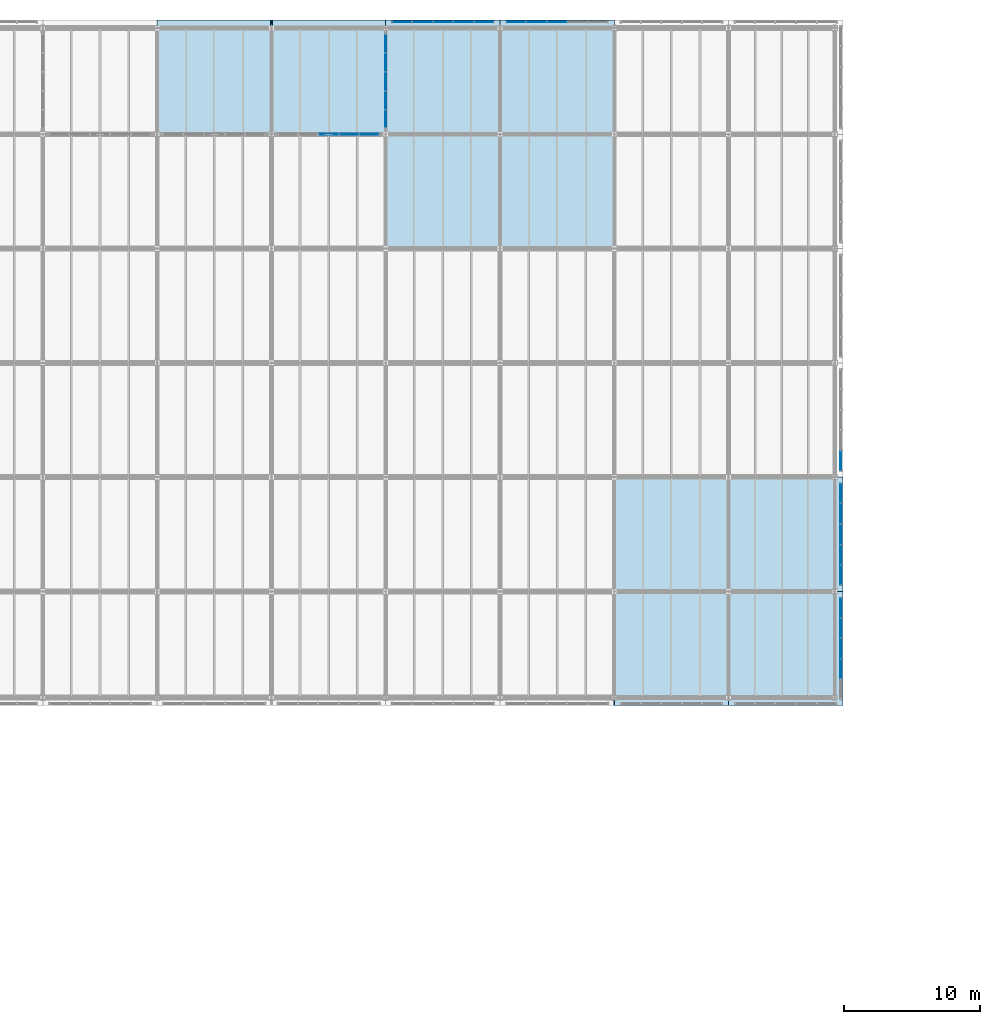
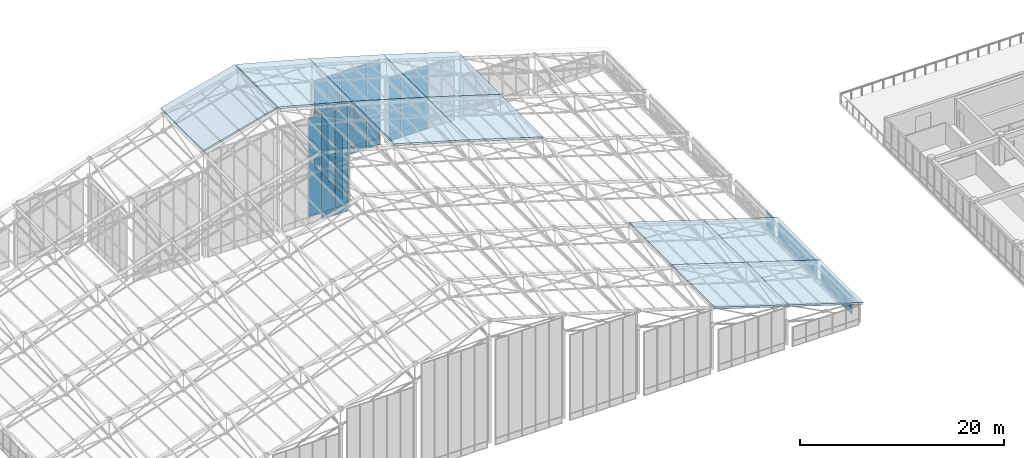
# One storey, part 110 of 144: 51 plates, 10 slabs, 7 elements without a shape of their own.
"""IFC4 building model written with IfcOpenShell, lengths in metres."""

from ifc_helpers import new_model, si_unit, direction, frame, origin, origin_2d, place, context, subcontext, project, spatial, polyline, rectangle, outline, extrude, material, layer, layer_set, type_object, element, aggregate, save


model = new_model("IFC4")

# Units and contexts
model_context = context("Model", 3, precision=1e-05, world=origin(), true_north=direction((0.0, 1.0)))
body_context = subcontext(model_context, "Body", "Model", "MODEL_VIEW")
ifc_project = project(units=[si_unit("LENGTHUNIT", "METRE"), si_unit("AREAUNIT", "SQUARE_METRE"), si_unit("VOLUMEUNIT", "CUBIC_METRE"), si_unit("PLANEANGLEUNIT", "RADIAN"), si_unit("MASSUNIT", "GRAM", prefix="KILO")], contexts=[model_context])

# Site, building, storey
site_placement = place(None, origin())
site = spatial("IfcSite", under=ifc_project, at=site_placement, CompositionType="ELEMENT")
building_placement = place(site_placement, origin())
building = spatial("IfcBuilding", under=site, at=building_placement, Name="Zayran Congress Hotel", CompositionType="ELEMENT")
storey_placement = place(building_placement, frame((0.0, 0.0, 19.199951171875)))
storey = spatial("IfcBuildingStorey", under=building, at=storey_placement, Name="L04", CompositionType="ELEMENT", Elevation=19.199951171875)

# Slabs
ifc_material_1 = material(Name="Concrete C32/40", Category="concrete")
ifc_layer_1 = layer(ifc_material_1, 0.219970703125)
ifc_layer_set_1 = layer_set([ifc_layer_1], Name="Concrete C32/40")
slab_type = type_object("IfcSlabType", Name="SL-RF-220", PredefinedType="ROOF", material=ifc_layer_set_1)
for number, where, z_axis, x_axis, name in (
    (1, (42.0, 109.60009765625, 12.75), (-0.258745513625, 0.0, 0.965945525989), (0.965945525989, 0.0, 0.258745513625), "V1 Vaulted Roof Facet 5-6"),
    (2, (50.465087890625, 109.60009765625, 14.982666015625), (0.258745513625, 0.0, 0.965945525989), (0.965945525989, 0.0, -0.258745513625), "V1 Vaulted Roof Facet 6-6"),
):
    element("IfcSlab", number, at=place(storey_placement, frame(where, z_axis=z_axis, x_axis=x_axis)), inside=storey, type_object=slab_type, Name=name, PredefinedType="ROOF", context=body_context, shape_type="SweptSolid", body=[
        extrude(outline(polyline([(0.0, 0.0), (8.628810541840496, 0.0), (8.628810541840496, 8.39990234375), (0.0, 8.39990234375), (0.0, 0.0)])), origin(), (0.0, 0.0, -1.0), 0.219970703125),
    ])
slab_1_placement = place(storey_placement, frame((58.800048828125, 101.199951171875, 12.75), z_axis=(0.279997857116, 0.0, 0.960000625005), x_axis=(0.960000625005, 0.0, -0.279997857116)))
element("IfcSlab", 3, at=slab_1_placement, inside=storey, type_object=slab_type, Name="V1 Vaulted Roof Facet 7-5", PredefinedType="ROOF", context=body_context, shape_type="SweptSolid", body=[
    extrude(outline(polyline([(0.0, 0.0), (8.749892578146799, 0.0), (8.749892578146799, 8.400146484375), (0.0, 8.400146484375), (0.0, 0.0)])), origin(), (0.0, 0.0, -1.0), 0.219970703125),
])
slab_2_placement = place(storey_placement, frame((58.800048828125, 109.60009765625, 12.75), z_axis=(0.279997857116, 0.0, 0.960000625005), x_axis=(0.960000625005, 0.0, -0.279997857116)))
element("IfcSlab", 4, at=slab_2_placement, inside=storey, type_object=slab_type, Name="V1 Vaulted Roof Facet 7-6", PredefinedType="ROOF", context=body_context, shape_type="SweptSolid", body=[
    extrude(outline(polyline([(0.0, 0.0), (8.749892578146799, 0.0), (8.749892578146799, 8.399902343750002), (0.0, 8.399902343750002), (0.0, 0.0)])), origin(), (0.0, 0.0, -1.0), 0.219970703125),
])
slab_3_placement = place(storey_placement, frame((67.199951171875, 101.199951171875, 10.300048828125), z_axis=(0.29568915739, 0.0, 0.955284210171), x_axis=(0.955284210171, 0.0, -0.29568915739)))
element("IfcSlab", 5, at=slab_3_placement, inside=storey, type_object=slab_type, Name="V1 Vaulted Roof Facet 8-5", PredefinedType="ROOF", context=body_context, shape_type="SweptSolid", body=[
    extrude(outline(polyline([(0.0, 0.0), (8.793347984754979, 0.0), (8.793347984754979, 8.400146484375), (0.0, 8.400146484375), (0.0, 0.0)])), origin(), (0.0, 0.0, -1.0), 0.219970703125),
])
slab_4_placement = place(storey_placement, frame((67.199951171875, 109.60009765625, 10.300048828125), z_axis=(0.29568915739, 0.0, 0.955284210171), x_axis=(0.955284210171, 0.0, -0.29568915739)))
element("IfcSlab", 6, at=slab_4_placement, inside=storey, type_object=slab_type, Name="V1 Vaulted Roof Facet 8-6", PredefinedType="ROOF", context=body_context, shape_type="SweptSolid", body=[
    extrude(outline(polyline([(0.0, 0.0), (8.793347984754979, 0.0), (8.793347984754979, 8.39990234375), (0.0, 8.39990234375), (0.0, 0.0)])), origin(), (0.0, 0.0, -1.0), 0.219970703125),
])
for number, where, z_axis, x_axis, name in (
    (7, (75.60009765625, 67.60009765625, 7.699951171875), (0.300852777228, 0.0, 0.953670596398), (0.953670596398, 0.0, -0.300852777228), "V1 Vaulted Roof Facet 9-1"),
    (8, (75.60009765625, 76.0, 7.699951171875), (0.300852777228, 0.0, 0.953670596398), (0.953670596398, 0.0, -0.300852777228), "V1 Vaulted Roof Facet 9-2"),
    (9, (84.0, 67.60009765625, 5.050048828125), (0.300852777228, 0.0, 0.953670596398), (0.953670596398, 0.0, -0.300852777228), "V1 Vaulted Roof Facet 10-1"),
    (10, (84.0, 76.0, 5.050048828125), (0.300852777228, 0.0, 0.953670596398), (0.953670596398, 0.0, -0.300852777228), "V1 Vaulted Roof Facet 10-2"),
):
    element("IfcSlab", number, at=place(storey_placement, frame(where, z_axis=z_axis, x_axis=x_axis)), inside=storey, type_object=slab_type, Name=name, PredefinedType="ROOF", context=body_context, shape_type="SweptSolid", body=[
        extrude(outline(polyline([(0.0, 0.0), (8.807970357349557, 0.0), (8.807970357349557, 8.39990234375), (0.0, 8.39990234375), (0.0, 0.0)])), origin(), (0.0, 0.0, -1.0), 0.219970703125),
    ])

# Curtain wall, plates
ifc_material_2 = material(Name="Anodised aluminium and low-E insulated glass", Category="aluminium")
ifc_layer_2 = layer(ifc_material_2, 0.179931640625)
ifc_layer_set_2 = layer_set([ifc_layer_2], Name="Anodised aluminium and low-E insulated glass")
curtain_wall_type_1 = type_object("IfcCurtainWallType", Name="CW-V1CL-L04-CW-25-6960-7670", PredefinedType="USERDEFINED", material=ifc_layer_set_2)
curtain_wall_1_placement = place(storey_placement, origin())
curtain_wall_1 = element("IfcCurtainWall", 11, at=curtain_wall_1_placement, inside=storey, type_object=curtain_wall_type_1, Name="CW-V1CLNE", ObjectType="CURTAIN WALL", PredefinedType="USERDEFINED")
ifc_material_3 = material(Name="Insulated warm bronze aluminium spandrel panel", Category="aluminium")
ifc_layer_3 = layer(ifc_material_3, 0.06005859375)
ifc_layer_set_3 = layer_set([ifc_layer_3], Name="Insulated warm bronze aluminium spandrel panel")
plate_type_1 = type_object("IfcPlateType", Name="CWP-SP-1272-750", PredefinedType="CURTAIN_PANEL", material=ifc_layer_set_3)
plate_1_placement = place(storey_placement, frame((58.800048828125, 116.263916015625, -0.159912109375), z_axis=(0.0, 0.0, 1.0), x_axis=(0.0, 1.0, 0.0)))
plate_1 = element("IfcPlate", 12, at=plate_1_placement, type_object=plate_type_1, Name="CW-25 Spandrel Panel 1", PredefinedType="CURTAIN_PANEL", context=body_context, shape_type="SweptSolid", body=[
    extrude(rectangle(XDim=1.27197265625, YDim=0.06005859375, at=origin_2d()), origin(), (0.0, 0.0, 1.0), 0.75),
])
plate_2_placement = place(storey_placement, frame((58.800048828125, 114.89208984375, -0.159912109375), z_axis=(0.0, 0.0, 1.0), x_axis=(0.0, 1.0, 0.0)))
plate_2 = element("IfcPlate", 13, at=plate_2_placement, type_object=plate_type_1, Name="CW-25 Spandrel Panel 2", PredefinedType="CURTAIN_PANEL", context=body_context, shape_type="SweptSolid", body=[
    extrude(rectangle(XDim=1.31201171875, YDim=0.06005859375, at=origin_2d()), origin(), (0.0, 0.0, 1.0), 0.75),
])
plate_3_placement = place(storey_placement, frame((58.800048828125, 113.5, -0.159912109375), z_axis=(0.0, 0.0, 1.0), x_axis=(0.0, 1.0, 0.0)))
plate_3 = element("IfcPlate", 14, at=plate_3_placement, type_object=plate_type_1, Name="CW-25 Spandrel Panel 3", PredefinedType="CURTAIN_PANEL", context=body_context, shape_type="SweptSolid", body=[
    extrude(rectangle(XDim=1.31201171875, YDim=0.06005859375, at=origin_2d()), origin(), (0.0, 0.0, 1.0), 0.75),
])
plate_4_placement = place(storey_placement, frame((58.800048828125, 112.10791015625, -0.159912109375), z_axis=(0.0, 0.0, 1.0), x_axis=(0.0, 1.0, 0.0)))
plate_4 = element("IfcPlate", 15, at=plate_4_placement, type_object=plate_type_1, Name="CW-25 Spandrel Panel 4", PredefinedType="CURTAIN_PANEL", context=body_context, shape_type="SweptSolid", body=[
    extrude(rectangle(XDim=1.31201171875, YDim=0.06005859375, at=origin_2d()), origin(), (0.0, 0.0, 1.0), 0.75),
])
plate_5_placement = place(storey_placement, frame((58.800048828125, 110.736083984375, -0.159912109375), z_axis=(0.0, 0.0, 1.0), x_axis=(0.0, 1.0, 0.0)))
plate_5 = element("IfcPlate", 16, at=plate_5_placement, type_object=plate_type_1, Name="CW-25 Spandrel Panel 5", PredefinedType="CURTAIN_PANEL", context=body_context, shape_type="SweptSolid", body=[
    extrude(rectangle(XDim=1.27197265625, YDim=0.06005859375, at=origin_2d()), origin(), (0.0, 0.0, 1.0), 0.75),
])

ifc_layer_4 = layer(ifc_material_2, 0.179931640625)
ifc_layer_set_4 = layer_set([ifc_layer_4], Name="Anodised aluminium and low-E insulated glass")
curtain_wall_type_2 = type_object("IfcCurtainWallType", Name="CW-V1CL-L04-CW-23-7560-12720", PredefinedType="USERDEFINED", material=ifc_layer_set_4)
curtain_wall_2_placement = place(storey_placement, origin())
curtain_wall_2 = element("IfcCurtainWall", 17, at=curtain_wall_2_placement, inside=storey, type_object=curtain_wall_type_2, Name="CW-V1CLN-5", ObjectType="CURTAIN WALL", PredefinedType="USERDEFINED")
ifc_layer_5 = layer(ifc_material_3, 0.06005859375)
ifc_layer_set_5 = layer_set([ifc_layer_5], Name="Insulated warm bronze aluminium spandrel panel")
plate_type_2 = type_object("IfcPlateType", Name="CWP-SP-1392-750", PredefinedType="CURTAIN_PANEL", material=ifc_layer_set_5)
plate_6_placement = place(storey_placement, frame((57.60400390625, 109.60009765625, -0.159912109375), z_axis=(0.0, 0.0, 1.0), x_axis=(1.0, 0.0, 0.0)))
plate_6 = element("IfcPlate", 18, at=plate_6_placement, type_object=plate_type_2, Name="CW-23 Spandrel Panel 1", PredefinedType="CURTAIN_PANEL", context=body_context, shape_type="SweptSolid", body=[
    extrude(rectangle(XDim=1.39208984375, YDim=0.06005859375, at=origin_2d()), origin(), (0.0, 0.0, 1.0), 0.75),
])
plate_7_placement = place(storey_placement, frame((56.112060546875, 109.60009765625, -0.159912109375), z_axis=(0.0, 0.0, 1.0), x_axis=(1.0, 0.0, 0.0)))
plate_7 = element("IfcPlate", 19, at=plate_7_placement, type_object=plate_type_2, Name="CW-23 Spandrel Panel 2", PredefinedType="CURTAIN_PANEL", context=body_context, shape_type="SweptSolid", body=[
    extrude(rectangle(XDim=1.431884765625, YDim=0.06005859375, at=origin_2d()), origin(), (0.0, 0.0, 1.0), 0.75),
])

ifc_layer_6 = layer(ifc_material_2, 0.179931640625)
ifc_layer_set_6 = layer_set([ifc_layer_6], Name="Anodised aluminium and low-E insulated glass")
curtain_wall_type_3 = type_object("IfcCurtainWallType", Name="CW-V1CL-L04-CW-21-7560-10270", PredefinedType="USERDEFINED", material=ifc_layer_set_6)
curtain_wall_3_placement = place(storey_placement, origin())
curtain_wall_3 = element("IfcCurtainWall", 20, at=curtain_wall_3_placement, inside=storey, type_object=curtain_wall_type_3, Name="CW-V1CLN-6", ObjectType="CURTAIN WALL", PredefinedType="USERDEFINED")
plate_8_placement = place(storey_placement, frame((66.00390625, 117.85009765625, -0.159912109375), z_axis=(0.0, 0.0, 1.0), x_axis=(1.0, 0.0, 0.0)))
plate_8 = element("IfcPlate", 21, at=plate_8_placement, type_object=plate_type_2, Name="CW-21 Spandrel Panel 1", PredefinedType="CURTAIN_PANEL", context=body_context, shape_type="SweptSolid", body=[
    extrude(rectangle(XDim=1.39208984375, YDim=0.06005859375, at=origin_2d()), origin(), (0.0, 0.0, 1.0), 0.75),
])
plate_9_placement = place(storey_placement, frame((64.511962890625, 117.85009765625, -0.159912109375), z_axis=(0.0, 0.0, 1.0), x_axis=(1.0, 0.0, 0.0)))
plate_9 = element("IfcPlate", 22, at=plate_9_placement, type_object=plate_type_2, Name="CW-21 Spandrel Panel 2", PredefinedType="CURTAIN_PANEL", context=body_context, shape_type="SweptSolid", body=[
    extrude(rectangle(XDim=1.431884765625, YDim=0.06005859375, at=origin_2d()), origin(), (0.0, 0.0, 1.0), 0.75),
])
plate_10_placement = place(storey_placement, frame((63.0, 117.85009765625, -0.159912109375), z_axis=(0.0, 0.0, 1.0), x_axis=(1.0, 0.0, 0.0)))
plate_10 = element("IfcPlate", 23, at=plate_10_placement, type_object=plate_type_2, Name="CW-21 Spandrel Panel 3", PredefinedType="CURTAIN_PANEL", context=body_context, shape_type="SweptSolid", body=[
    extrude(rectangle(XDim=1.431884765625, YDim=0.06005859375, at=origin_2d()), origin(), (0.0, 0.0, 1.0), 0.75),
])
plate_11_placement = place(storey_placement, frame((61.488037109375, 117.85009765625, -0.159912109375), z_axis=(0.0, 0.0, 1.0), x_axis=(1.0, 0.0, 0.0)))
plate_11 = element("IfcPlate", 24, at=plate_11_placement, type_object=plate_type_2, Name="CW-21 Spandrel Panel 4", PredefinedType="CURTAIN_PANEL", context=body_context, shape_type="SweptSolid", body=[
    extrude(rectangle(XDim=1.431884765625, YDim=0.06005859375, at=origin_2d()), origin(), (0.0, 0.0, 1.0), 0.75),
])
plate_12_placement = place(storey_placement, frame((59.99609375, 117.85009765625, -0.159912109375), z_axis=(0.0, 0.0, 1.0), x_axis=(1.0, 0.0, 0.0)))
plate_12 = element("IfcPlate", 25, at=plate_12_placement, type_object=plate_type_2, Name="CW-21 Spandrel Panel 5", PredefinedType="CURTAIN_PANEL", context=body_context, shape_type="SweptSolid", body=[
    extrude(rectangle(XDim=1.39208984375, YDim=0.06005859375, at=origin_2d()), origin(), (0.0, 0.0, 1.0), 0.75),
])

ifc_layer_7 = layer(ifc_material_2, 0.179931640625)
ifc_layer_set_7 = layer_set([ifc_layer_7], Name="Anodised aluminium and low-E insulated glass")
curtain_wall_type_4 = type_object("IfcCurtainWallType", Name="CW-V1CL-L04-CW-22-7560-7670", PredefinedType="USERDEFINED", material=ifc_layer_set_7)
curtain_wall_4_placement = place(storey_placement, origin())
curtain_wall_4 = element("IfcCurtainWall", 26, at=curtain_wall_4_placement, inside=storey, type_object=curtain_wall_type_4, Name="CW-V1CLN-7", ObjectType="CURTAIN WALL", PredefinedType="USERDEFINED")
plate_13_placement = place(storey_placement, frame((71.39990234375, 117.85009765625, -0.159912109375), z_axis=(0.0, 0.0, 1.0), x_axis=(1.0, 0.0, 0.0)))
plate_13 = element("IfcPlate", 27, at=plate_13_placement, type_object=plate_type_2, Name="CW-22 Spandrel Panel 3", PredefinedType="CURTAIN_PANEL", context=body_context, shape_type="SweptSolid", body=[
    extrude(rectangle(XDim=1.431884765625, YDim=0.06005859375, at=origin_2d()), origin(), (0.0, 0.0, 1.0), 0.75),
])
plate_14_placement = place(storey_placement, frame((69.887939453125, 117.85009765625, -0.159912109375), z_axis=(0.0, 0.0, 1.0), x_axis=(1.0, 0.0, 0.0)))
plate_14 = element("IfcPlate", 28, at=plate_14_placement, type_object=plate_type_2, Name="CW-22 Spandrel Panel 4", PredefinedType="CURTAIN_PANEL", context=body_context, shape_type="SweptSolid", body=[
    extrude(rectangle(XDim=1.431884765625, YDim=0.06005859375, at=origin_2d()), origin(), (0.0, 0.0, 1.0), 0.75),
])
plate_15_placement = place(storey_placement, frame((68.39599609375, 117.85009765625, -0.159912109375), z_axis=(0.0, 0.0, 1.0), x_axis=(1.0, 0.0, 0.0)))
plate_15 = element("IfcPlate", 29, at=plate_15_placement, type_object=plate_type_2, Name="CW-22 Spandrel Panel 5", PredefinedType="CURTAIN_PANEL", context=body_context, shape_type="SweptSolid", body=[
    extrude(rectangle(XDim=1.39208984375, YDim=0.06005859375, at=origin_2d()), origin(), (0.0, 0.0, 1.0), 0.75),
])

ifc_layer_8 = layer(ifc_material_2, 0.179931640625)
ifc_layer_set_8 = layer_set([ifc_layer_8], Name="Anodised aluminium and low-E insulated glass")
curtain_wall_type_5 = type_object("IfcCurtainWallType", Name="CW-V1CL-L04-CW-41-7560-2370", PredefinedType="USERDEFINED", material=ifc_layer_set_8)
curtain_wall_5_placement = place(storey_placement, origin())
curtain_wall_5 = element("IfcCurtainWall", 30, at=curtain_wall_5_placement, inside=storey, type_object=curtain_wall_type_5, Name="CW-V1CLE-0", ObjectType="CURTAIN WALL", PredefinedType="USERDEFINED")
ifc_layer_9 = layer(ifc_material_3, 0.06005859375)
ifc_layer_set_9 = layer_set([ifc_layer_9], Name="Insulated warm bronze aluminium spandrel panel")
plate_type_3 = type_object("IfcPlateType", Name="CWP-SP-1392-630", PredefinedType="CURTAIN_PANEL", material=ifc_layer_set_9)
plate_16_placement = place(storey_placement, frame((92.25, 70.2880859375, -0.159912109375), z_axis=(0.0, 0.0, 1.0), x_axis=(0.0, 1.0, 0.0)))
plate_16 = element("IfcPlate", 31, at=plate_16_placement, type_object=plate_type_3, Name="CW-41 Spandrel Panel 2", PredefinedType="CURTAIN_PANEL", context=body_context, shape_type="SweptSolid", body=[
    extrude(rectangle(XDim=1.431884765625, YDim=0.06005859375, at=origin_2d()), origin(), (0.0, 0.0, 1.0), 0.6298828125),
])
plate_17_placement = place(storey_placement, frame((92.25, 71.800048828125, -0.159912109375), z_axis=(0.0, 0.0, 1.0), x_axis=(0.0, 1.0, 0.0)))
plate_17 = element("IfcPlate", 32, at=plate_17_placement, type_object=plate_type_3, Name="CW-41 Spandrel Panel 3", PredefinedType="CURTAIN_PANEL", context=body_context, shape_type="SweptSolid", body=[
    extrude(rectangle(XDim=1.431884765625, YDim=0.06005859375, at=origin_2d()), origin(), (0.0, 0.0, 1.0), 0.6298828125),
])
plate_18_placement = place(storey_placement, frame((92.25, 73.31201171875, -0.159912109375), z_axis=(0.0, 0.0, 1.0), x_axis=(0.0, 1.0, 0.0)))
plate_18 = element("IfcPlate", 33, at=plate_18_placement, type_object=plate_type_3, Name="CW-41 Spandrel Panel 4", PredefinedType="CURTAIN_PANEL", context=body_context, shape_type="SweptSolid", body=[
    extrude(rectangle(XDim=1.431884765625, YDim=0.06005859375, at=origin_2d()), origin(), (0.0, 0.0, 1.0), 0.6298828125),
])
plate_19_placement = place(storey_placement, frame((92.25, 74.803955078125, -0.159912109375), z_axis=(0.0, 0.0, 1.0), x_axis=(0.0, 1.0, 0.0)))
plate_19 = element("IfcPlate", 34, at=plate_19_placement, type_object=plate_type_3, Name="CW-41 Spandrel Panel 5", PredefinedType="CURTAIN_PANEL", context=body_context, shape_type="SweptSolid", body=[
    extrude(rectangle(XDim=1.39208984375, YDim=0.06005859375, at=origin_2d()), origin(), (0.0, 0.0, 1.0), 0.6298828125),
])

curtain_wall_6_placement = place(storey_placement, origin())
curtain_wall_6 = element("IfcCurtainWall", 35, at=curtain_wall_6_placement, inside=storey, type_object=curtain_wall_type_5, Name="CW-V1CLE-1", ObjectType="CURTAIN WALL", PredefinedType="USERDEFINED")
plate_20_placement = place(storey_placement, frame((92.25, 77.196044921875, -0.159912109375), z_axis=(0.0, 0.0, 1.0), x_axis=(0.0, 1.0, 0.0)))
plate_20 = element("IfcPlate", 36, at=plate_20_placement, type_object=plate_type_3, Name="CW-41 Spandrel Panel 1", PredefinedType="CURTAIN_PANEL", context=body_context, shape_type="SweptSolid", body=[
    extrude(rectangle(XDim=1.39208984375, YDim=0.06005859375, at=origin_2d()), origin(), (0.0, 0.0, 1.0), 0.6298828125),
])
plate_21_placement = place(storey_placement, frame((92.25, 78.68798828125, -0.159912109375), z_axis=(0.0, 0.0, 1.0), x_axis=(0.0, 1.0, 0.0)))
plate_21 = element("IfcPlate", 37, at=plate_21_placement, type_object=plate_type_3, Name="CW-41 Spandrel Panel 2", PredefinedType="CURTAIN_PANEL", context=body_context, shape_type="SweptSolid", body=[
    extrude(rectangle(XDim=1.431884765625, YDim=0.06005859375, at=origin_2d()), origin(), (0.0, 0.0, 1.0), 0.6298828125),
])
plate_22_placement = place(storey_placement, frame((92.25, 80.199951171875, -0.159912109375), z_axis=(0.0, 0.0, 1.0), x_axis=(0.0, 1.0, 0.0)))
plate_22 = element("IfcPlate", 38, at=plate_22_placement, type_object=plate_type_3, Name="CW-41 Spandrel Panel 3", PredefinedType="CURTAIN_PANEL", context=body_context, shape_type="SweptSolid", body=[
    extrude(rectangle(XDim=1.431884765625, YDim=0.06005859375, at=origin_2d()), origin(), (0.0, 0.0, 1.0), 0.6298828125),
])
plate_23_placement = place(storey_placement, frame((92.25, 81.7119140625, -0.159912109375), z_axis=(0.0, 0.0, 1.0), x_axis=(0.0, 1.0, 0.0)))
plate_23 = element("IfcPlate", 39, at=plate_23_placement, type_object=plate_type_3, Name="CW-41 Spandrel Panel 4", PredefinedType="CURTAIN_PANEL", context=body_context, shape_type="SweptSolid", body=[
    extrude(rectangle(XDim=1.431884765625, YDim=0.06005859375, at=origin_2d()), origin(), (0.0, 0.0, 1.0), 0.6298828125),
])
plate_24_placement = place(storey_placement, frame((92.25, 83.2041015625, -0.159912109375), z_axis=(0.0, 0.0, 1.0), x_axis=(0.0, 1.0, 0.0)))
plate_24 = element("IfcPlate", 40, at=plate_24_placement, type_object=plate_type_3, Name="CW-41 Spandrel Panel 5", PredefinedType="CURTAIN_PANEL", context=body_context, shape_type="SweptSolid", body=[
    extrude(rectangle(XDim=1.39208984375, YDim=0.06005859375, at=origin_2d()), origin(), (0.0, 0.0, 1.0), 0.6298828125),
])

# Curtain wall, plate
curtain_wall_7_placement = place(storey_placement, origin())
curtain_wall_7 = element("IfcCurtainWall", 41, at=curtain_wall_7_placement, inside=storey, type_object=curtain_wall_type_5, Name="CW-V1CLE-2", ObjectType="CURTAIN WALL", PredefinedType="USERDEFINED")
plate_25_placement = place(storey_placement, frame((92.25, 85.595947265625, -0.159912109375), z_axis=(0.0, 0.0, 1.0), x_axis=(0.0, 1.0, 0.0)))
plate_25 = element("IfcPlate", 42, at=plate_25_placement, type_object=plate_type_3, Name="CW-41 Spandrel Panel 1", PredefinedType="CURTAIN_PANEL", context=body_context, shape_type="SweptSolid", body=[
    extrude(rectangle(XDim=1.39208984375, YDim=0.06005859375, at=origin_2d()), origin(), (0.0, 0.0, 1.0), 0.6298828125),
])

# Plate
ifc_layer_10 = layer(ifc_material_3, 0.06005859375)
ifc_layer_set_10 = layer_set([ifc_layer_10], Name="Insulated warm bronze aluminium spandrel panel")
plate_type_4 = type_object("IfcPlateType", Name="CWP-SP-1392-1560", PredefinedType="CURTAIN_PANEL", material=ifc_layer_set_10)
plate_26_placement = place(storey_placement, frame((92.25, 70.2880859375, 0.530029296875), z_axis=(0.0, 0.0, 1.0), x_axis=(0.0, 1.0, 0.0)))
plate_26 = element("IfcPlate", 43, at=plate_26_placement, type_object=plate_type_4, Name="CW-41 Upper Spandrel Panel 2", PredefinedType="CURTAIN_PANEL", context=body_context, shape_type="SweptSolid", body=[
    extrude(rectangle(XDim=1.431884765625, YDim=0.06005859375, at=origin_2d()), origin(), (0.0, 0.0, 1.0), 1.56005859375),
])

plate_27_placement = place(storey_placement, frame((92.25, 71.800048828125, 0.530029296875), z_axis=(0.0, 0.0, 1.0), x_axis=(0.0, 1.0, 0.0)))
plate_27 = element("IfcPlate", 44, at=plate_27_placement, type_object=plate_type_4, Name="CW-41 Upper Spandrel Panel 3", PredefinedType="CURTAIN_PANEL", context=body_context, shape_type="SweptSolid", body=[
    extrude(rectangle(XDim=1.431884765625, YDim=0.06005859375, at=origin_2d()), origin(), (0.0, 0.0, 1.0), 1.56005859375),
])

plate_28_placement = place(storey_placement, frame((92.25, 73.31201171875, 0.530029296875), z_axis=(0.0, 0.0, 1.0), x_axis=(0.0, 1.0, 0.0)))
plate_28 = element("IfcPlate", 45, at=plate_28_placement, type_object=plate_type_4, Name="CW-41 Upper Spandrel Panel 4", PredefinedType="CURTAIN_PANEL", context=body_context, shape_type="SweptSolid", body=[
    extrude(rectangle(XDim=1.431884765625, YDim=0.06005859375, at=origin_2d()), origin(), (0.0, 0.0, 1.0), 1.56005859375),
])

plate_29_placement = place(storey_placement, frame((92.25, 74.803955078125, 0.530029296875), z_axis=(0.0, 0.0, 1.0), x_axis=(0.0, 1.0, 0.0)))
plate_29 = element("IfcPlate", 46, at=plate_29_placement, type_object=plate_type_4, Name="CW-41 Upper Spandrel Panel 5", PredefinedType="CURTAIN_PANEL", context=body_context, shape_type="SweptSolid", body=[
    extrude(rectangle(XDim=1.39208984375, YDim=0.06005859375, at=origin_2d()), origin(), (0.0, 0.0, 1.0), 1.56005859375),
])

aggregate(curtain_wall_5, [plate_16, plate_26, plate_17, plate_27, plate_18, plate_28, plate_19, plate_29])

plate_30_placement = place(storey_placement, frame((92.25, 77.196044921875, 0.530029296875), z_axis=(0.0, 0.0, 1.0), x_axis=(0.0, 1.0, 0.0)))
plate_30 = element("IfcPlate", 47, at=plate_30_placement, type_object=plate_type_4, Name="CW-41 Upper Spandrel Panel 1", PredefinedType="CURTAIN_PANEL", context=body_context, shape_type="SweptSolid", body=[
    extrude(rectangle(XDim=1.39208984375, YDim=0.06005859375, at=origin_2d()), origin(), (0.0, 0.0, 1.0), 1.56005859375),
])

plate_31_placement = place(storey_placement, frame((92.25, 78.68798828125, 0.530029296875), z_axis=(0.0, 0.0, 1.0), x_axis=(0.0, 1.0, 0.0)))
plate_31 = element("IfcPlate", 48, at=plate_31_placement, type_object=plate_type_4, Name="CW-41 Upper Spandrel Panel 2", PredefinedType="CURTAIN_PANEL", context=body_context, shape_type="SweptSolid", body=[
    extrude(rectangle(XDim=1.431884765625, YDim=0.06005859375, at=origin_2d()), origin(), (0.0, 0.0, 1.0), 1.56005859375),
])

plate_32_placement = place(storey_placement, frame((92.25, 80.199951171875, 0.530029296875), z_axis=(0.0, 0.0, 1.0), x_axis=(0.0, 1.0, 0.0)))
plate_32 = element("IfcPlate", 49, at=plate_32_placement, type_object=plate_type_4, Name="CW-41 Upper Spandrel Panel 3", PredefinedType="CURTAIN_PANEL", context=body_context, shape_type="SweptSolid", body=[
    extrude(rectangle(XDim=1.431884765625, YDim=0.06005859375, at=origin_2d()), origin(), (0.0, 0.0, 1.0), 1.56005859375),
])

plate_33_placement = place(storey_placement, frame((92.25, 81.7119140625, 0.530029296875), z_axis=(0.0, 0.0, 1.0), x_axis=(0.0, 1.0, 0.0)))
plate_33 = element("IfcPlate", 50, at=plate_33_placement, type_object=plate_type_4, Name="CW-41 Upper Spandrel Panel 4", PredefinedType="CURTAIN_PANEL", context=body_context, shape_type="SweptSolid", body=[
    extrude(rectangle(XDim=1.431884765625, YDim=0.06005859375, at=origin_2d()), origin(), (0.0, 0.0, 1.0), 1.56005859375),
])

plate_34_placement = place(storey_placement, frame((92.25, 83.2041015625, 0.530029296875), z_axis=(0.0, 0.0, 1.0), x_axis=(0.0, 1.0, 0.0)))
plate_34 = element("IfcPlate", 51, at=plate_34_placement, type_object=plate_type_4, Name="CW-41 Upper Spandrel Panel 5", PredefinedType="CURTAIN_PANEL", context=body_context, shape_type="SweptSolid", body=[
    extrude(rectangle(XDim=1.39208984375, YDim=0.06005859375, at=origin_2d()), origin(), (0.0, 0.0, 1.0), 1.56005859375),
])

aggregate(curtain_wall_6, [plate_20, plate_30, plate_21, plate_31, plate_22, plate_32, plate_23, plate_33, plate_24, plate_34])

plate_35_placement = place(storey_placement, frame((92.25, 85.595947265625, 0.530029296875), z_axis=(0.0, 0.0, 1.0), x_axis=(0.0, 1.0, 0.0)))
plate_35 = element("IfcPlate", 52, at=plate_35_placement, type_object=plate_type_4, Name="CW-41 Upper Spandrel Panel 1", PredefinedType="CURTAIN_PANEL", context=body_context, shape_type="SweptSolid", body=[
    extrude(rectangle(XDim=1.39208984375, YDim=0.06005859375, at=origin_2d()), origin(), (0.0, 0.0, 1.0), 1.56005859375),
])

aggregate(curtain_wall_7, [plate_25, plate_35])

ifc_layer_11 = layer(ifc_material_3, 0.06005859375)
ifc_layer_set_11 = layer_set([ifc_layer_11], Name="Insulated warm bronze aluminium spandrel panel")
plate_type_5 = type_object("IfcPlateType", Name="CWP-SP-1392-6740", PredefinedType="CURTAIN_PANEL", material=ifc_layer_set_11)
plate_36_placement = place(storey_placement, frame((71.39990234375, 117.85009765625, 0.64990234375), z_axis=(0.0, 0.0, 1.0), x_axis=(1.0, 0.0, 0.0)))
plate_36 = element("IfcPlate", 53, at=plate_36_placement, type_object=plate_type_5, Name="CW-22 Upper Spandrel Panel 3", PredefinedType="CURTAIN_PANEL", context=body_context, shape_type="SweptSolid", body=[
    extrude(rectangle(XDim=1.431884765625, YDim=0.06005859375, at=origin_2d()), origin(), (0.0, 0.0, 1.0), 6.739990234375),
])

plate_37_placement = place(storey_placement, frame((69.887939453125, 117.85009765625, 0.64990234375), z_axis=(0.0, 0.0, 1.0), x_axis=(1.0, 0.0, 0.0)))
plate_37 = element("IfcPlate", 54, at=plate_37_placement, type_object=plate_type_5, Name="CW-22 Upper Spandrel Panel 4", PredefinedType="CURTAIN_PANEL", context=body_context, shape_type="SweptSolid", body=[
    extrude(rectangle(XDim=1.431884765625, YDim=0.06005859375, at=origin_2d()), origin(), (0.0, 0.0, 1.0), 6.739990234375),
])

plate_38_placement = place(storey_placement, frame((68.39599609375, 117.85009765625, 0.64990234375), z_axis=(0.0, 0.0, 1.0), x_axis=(1.0, 0.0, 0.0)))
plate_38 = element("IfcPlate", 55, at=plate_38_placement, type_object=plate_type_5, Name="CW-22 Upper Spandrel Panel 5", PredefinedType="CURTAIN_PANEL", context=body_context, shape_type="SweptSolid", body=[
    extrude(rectangle(XDim=1.39208984375, YDim=0.06005859375, at=origin_2d()), origin(), (0.0, 0.0, 1.0), 6.739990234375),
])

aggregate(curtain_wall_4, [plate_13, plate_36, plate_14, plate_37, plate_15, plate_38])

ifc_layer_12 = layer(ifc_material_3, 0.06005859375)
ifc_layer_set_12 = layer_set([ifc_layer_12], Name="Insulated warm bronze aluminium spandrel panel")
plate_type_6 = type_object("IfcPlateType", Name="CWP-SP-1392-9340", PredefinedType="CURTAIN_PANEL", material=ifc_layer_set_12)
plate_39_placement = place(storey_placement, frame((66.00390625, 117.85009765625, 0.64990234375), z_axis=(0.0, 0.0, 1.0), x_axis=(1.0, 0.0, 0.0)))
plate_39 = element("IfcPlate", 56, at=plate_39_placement, type_object=plate_type_6, Name="CW-21 Upper Spandrel Panel 1", PredefinedType="CURTAIN_PANEL", context=body_context, shape_type="SweptSolid", body=[
    extrude(rectangle(XDim=1.39208984375, YDim=0.06005859375, at=origin_2d()), origin(), (0.0, 0.0, 1.0), 9.340087890625),
])

plate_40_placement = place(storey_placement, frame((64.511962890625, 117.85009765625, 0.64990234375), z_axis=(0.0, 0.0, 1.0), x_axis=(1.0, 0.0, 0.0)))
plate_40 = element("IfcPlate", 57, at=plate_40_placement, type_object=plate_type_6, Name="CW-21 Upper Spandrel Panel 2", PredefinedType="CURTAIN_PANEL", context=body_context, shape_type="SweptSolid", body=[
    extrude(rectangle(XDim=1.431884765625, YDim=0.06005859375, at=origin_2d()), origin(), (0.0, 0.0, 1.0), 9.340087890625),
])

plate_41_placement = place(storey_placement, frame((63.0, 117.85009765625, 0.64990234375), z_axis=(0.0, 0.0, 1.0), x_axis=(1.0, 0.0, 0.0)))
plate_41 = element("IfcPlate", 58, at=plate_41_placement, type_object=plate_type_6, Name="CW-21 Upper Spandrel Panel 3", PredefinedType="CURTAIN_PANEL", context=body_context, shape_type="SweptSolid", body=[
    extrude(rectangle(XDim=1.431884765625, YDim=0.06005859375, at=origin_2d()), origin(), (0.0, 0.0, 1.0), 9.340087890625),
])

plate_42_placement = place(storey_placement, frame((61.488037109375, 117.85009765625, 0.64990234375), z_axis=(0.0, 0.0, 1.0), x_axis=(1.0, 0.0, 0.0)))
plate_42 = element("IfcPlate", 59, at=plate_42_placement, type_object=plate_type_6, Name="CW-21 Upper Spandrel Panel 4", PredefinedType="CURTAIN_PANEL", context=body_context, shape_type="SweptSolid", body=[
    extrude(rectangle(XDim=1.431884765625, YDim=0.06005859375, at=origin_2d()), origin(), (0.0, 0.0, 1.0), 9.340087890625),
])

plate_43_placement = place(storey_placement, frame((59.99609375, 117.85009765625, 0.64990234375), z_axis=(0.0, 0.0, 1.0), x_axis=(1.0, 0.0, 0.0)))
plate_43 = element("IfcPlate", 60, at=plate_43_placement, type_object=plate_type_6, Name="CW-21 Upper Spandrel Panel 5", PredefinedType="CURTAIN_PANEL", context=body_context, shape_type="SweptSolid", body=[
    extrude(rectangle(XDim=1.39208984375, YDim=0.06005859375, at=origin_2d()), origin(), (0.0, 0.0, 1.0), 9.340087890625),
])

aggregate(curtain_wall_3, [plate_8, plate_39, plate_9, plate_40, plate_10, plate_41, plate_11, plate_42, plate_12, plate_43])

ifc_layer_13 = layer(ifc_material_3, 0.06005859375)
ifc_layer_set_13 = layer_set([ifc_layer_13], Name="Insulated warm bronze aluminium spandrel panel")
plate_type_7 = type_object("IfcPlateType", Name="CWP-SP-1392-11790", PredefinedType="CURTAIN_PANEL", material=ifc_layer_set_13)
plate_44_placement = place(storey_placement, frame((57.60400390625, 109.60009765625, 0.650146484375), z_axis=(0.0, 0.0, 1.0), x_axis=(1.0, 0.0, 0.0)))
plate_44 = element("IfcPlate", 61, at=plate_44_placement, type_object=plate_type_7, Name="CW-23 Upper Spandrel Panel 1", PredefinedType="CURTAIN_PANEL", context=body_context, shape_type="SweptSolid", body=[
    extrude(rectangle(XDim=1.39208984375, YDim=0.06005859375, at=origin_2d()), origin(), (0.0, 0.0, 1.0), 11.7900390625),
])

plate_45_placement = place(storey_placement, frame((56.112060546875, 109.60009765625, 0.650146484375), z_axis=(0.0, 0.0, 1.0), x_axis=(1.0, 0.0, 0.0)))
plate_45 = element("IfcPlate", 62, at=plate_45_placement, type_object=plate_type_7, Name="CW-23 Upper Spandrel Panel 2", PredefinedType="CURTAIN_PANEL", context=body_context, shape_type="SweptSolid", body=[
    extrude(rectangle(XDim=1.431884765625, YDim=0.06005859375, at=origin_2d()), origin(), (0.0, 0.0, 1.0), 11.7900390625),
])

plate_46_placement = place(storey_placement, frame((54.60009765625, 109.60009765625, 0.650146484375), z_axis=(0.0, 0.0, 1.0), x_axis=(1.0, 0.0, 0.0)))
plate_46 = element("IfcPlate", 63, at=plate_46_placement, type_object=plate_type_7, Name="CW-23 Upper Spandrel Panel 3", PredefinedType="CURTAIN_PANEL", context=body_context, shape_type="SweptSolid", body=[
    extrude(rectangle(XDim=1.431884765625, YDim=0.06005859375, at=origin_2d()), origin(), (0.0, 0.0, 1.0), 11.7900390625),
])

aggregate(curtain_wall_2, [plate_6, plate_44, plate_7, plate_45, plate_46])

ifc_layer_14 = layer(ifc_material_3, 0.06005859375)
ifc_layer_set_14 = layer_set([ifc_layer_14], Name="Insulated warm bronze aluminium spandrel panel")
plate_type_8 = type_object("IfcPlateType", Name="CWP-SP-1272-6740", PredefinedType="CURTAIN_PANEL", material=ifc_layer_set_14)
plate_47_placement = place(storey_placement, frame((58.800048828125, 116.263916015625, 0.64990234375), z_axis=(0.0, 0.0, 1.0), x_axis=(0.0, 1.0, 0.0)))
plate_47 = element("IfcPlate", 64, at=plate_47_placement, type_object=plate_type_8, Name="CW-25 Upper Spandrel Panel 1", PredefinedType="CURTAIN_PANEL", context=body_context, shape_type="SweptSolid", body=[
    extrude(rectangle(XDim=1.27197265625, YDim=0.06005859375, at=origin_2d()), origin(), (0.0, 0.0, 1.0), 6.739990234375),
])

plate_48_placement = place(storey_placement, frame((58.800048828125, 114.89208984375, 0.64990234375), z_axis=(0.0, 0.0, 1.0), x_axis=(0.0, 1.0, 0.0)))
plate_48 = element("IfcPlate", 65, at=plate_48_placement, type_object=plate_type_8, Name="CW-25 Upper Spandrel Panel 2", PredefinedType="CURTAIN_PANEL", context=body_context, shape_type="SweptSolid", body=[
    extrude(rectangle(XDim=1.31201171875, YDim=0.06005859375, at=origin_2d()), origin(), (0.0, 0.0, 1.0), 6.739990234375),
])

plate_49_placement = place(storey_placement, frame((58.800048828125, 113.5, 0.64990234375), z_axis=(0.0, 0.0, 1.0), x_axis=(0.0, 1.0, 0.0)))
plate_49 = element("IfcPlate", 66, at=plate_49_placement, type_object=plate_type_8, Name="CW-25 Upper Spandrel Panel 3", PredefinedType="CURTAIN_PANEL", context=body_context, shape_type="SweptSolid", body=[
    extrude(rectangle(XDim=1.31201171875, YDim=0.06005859375, at=origin_2d()), origin(), (0.0, 0.0, 1.0), 6.739990234375),
])

plate_50_placement = place(storey_placement, frame((58.800048828125, 112.10791015625, 0.64990234375), z_axis=(0.0, 0.0, 1.0), x_axis=(0.0, 1.0, 0.0)))
plate_50 = element("IfcPlate", 67, at=plate_50_placement, type_object=plate_type_8, Name="CW-25 Upper Spandrel Panel 4", PredefinedType="CURTAIN_PANEL", context=body_context, shape_type="SweptSolid", body=[
    extrude(rectangle(XDim=1.31201171875, YDim=0.06005859375, at=origin_2d()), origin(), (0.0, 0.0, 1.0), 6.739990234375),
])

plate_51_placement = place(storey_placement, frame((58.800048828125, 110.736083984375, 0.64990234375), z_axis=(0.0, 0.0, 1.0), x_axis=(0.0, 1.0, 0.0)))
plate_51 = element("IfcPlate", 68, at=plate_51_placement, type_object=plate_type_8, Name="CW-25 Upper Spandrel Panel 5", PredefinedType="CURTAIN_PANEL", context=body_context, shape_type="SweptSolid", body=[
    extrude(rectangle(XDim=1.27197265625, YDim=0.06005859375, at=origin_2d()), origin(), (0.0, 0.0, 1.0), 6.739990234375),
])

aggregate(curtain_wall_1, [plate_1, plate_47, plate_2, plate_48, plate_3, plate_49, plate_4, plate_50, plate_5, plate_51])

save(model, "model.ifc")
